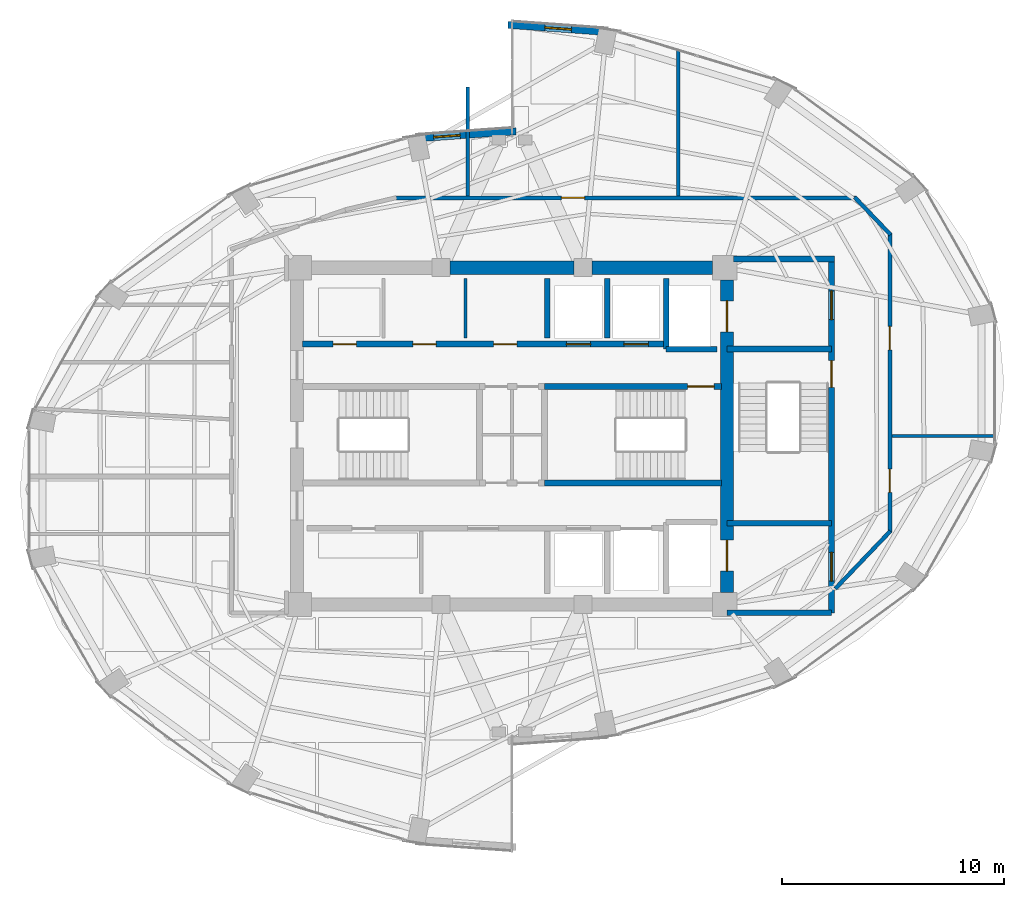
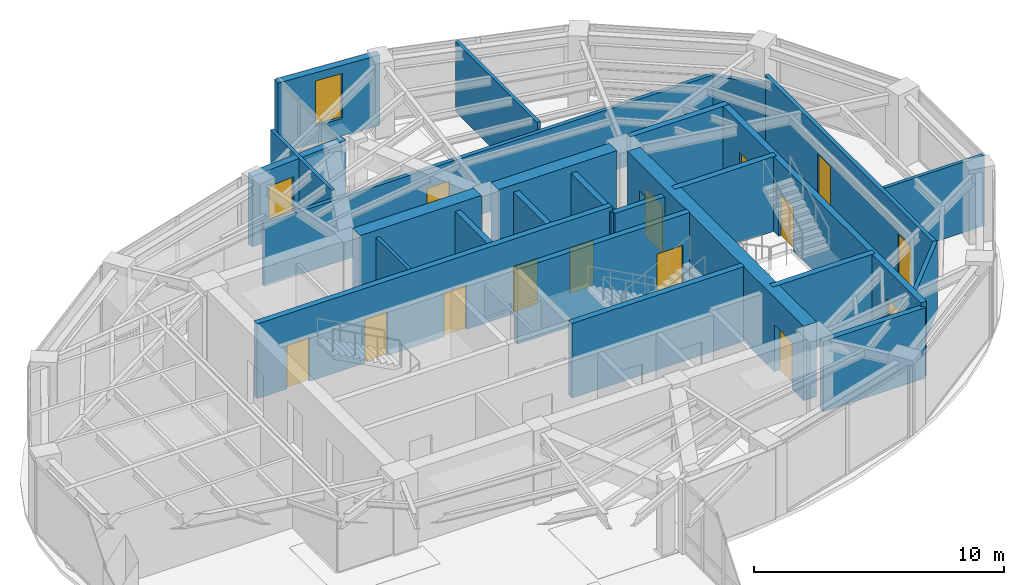
# One storey, part 20 of 23: 25 walls, 14 doors, 2 windows, 16 openings.
"""IFC4 building model written with IfcOpenShell, lengths in metres."""

from ifc_helpers import new_model, si_unit, direction, frame, frame_2d, origin, place, context, subcontext, project, spatial, rectangle, extrude, material, layer, layer_set, type_object, element, fill, save


model = new_model("IFC4")

# Units and contexts
model_context = context("Model", 3, precision=1e-05, world=origin(), true_north=direction((0.0, 1.0)))
body_context = subcontext(model_context, "Body", "Model", "MODEL_VIEW")
ifc_project = project(units=[si_unit("LENGTHUNIT", "METRE"), si_unit("AREAUNIT", "SQUARE_METRE"), si_unit("VOLUMEUNIT", "CUBIC_METRE"), si_unit("PLANEANGLEUNIT", "RADIAN"), si_unit("MASSUNIT", "GRAM", prefix="KILO")], contexts=[model_context])

# Site, building, storey
site_placement = place(None, origin())
site = spatial("IfcSite", under=ifc_project, at=site_placement, CompositionType="ELEMENT")
building_placement = place(site_placement, origin())
building = spatial("IfcBuilding", under=site, at=building_placement, Name="Lazwardi Medical Tower", CompositionType="ELEMENT")
storey_placement = place(building_placement, frame((0.0, 0.0, 209.424072265625)))
storey = spatial("IfcBuildingStorey", under=building, at=storey_placement, Name="L54", CompositionType="ELEMENT", Elevation=209.424072265625)

# Wall, opening, door
ifc_material_1 = material(Name="Fire-rated gypsum board on steel stud", Category="steel")
ifc_layer_1 = layer(ifc_material_1, 0.179931640625)
ifc_layer_set_1 = layer_set([ifc_layer_1], Name="Fire-rated gypsum board on steel stud")
wall_type_1 = type_object("IfcWallType", Name="WL-COR-180", PredefinedType="PARTITIONING", material=ifc_layer_set_1)
wall_1_placement = place(storey_placement, frame((30.709716796875, 38.75, 0.0), z_axis=(0.0, 0.0, 1.0), x_axis=(1.0, 0.0, 0.0)))
wall_1 = element("IfcWall", 1, at=wall_1_placement, inside=storey, type_object=wall_type_1, Name="L54 Corridor partition 3", PredefinedType="PARTITIONING", context=body_context, shape_type="SweptSolid", body=[
    extrude(rectangle(XDim=20.8154296875, YDim=0.179931640625, at=frame_2d((10.40771484375, 0.0))), origin(), (0.0, 0.0, 1.0), 3.072998046875),
])
opening_1_placement = place(wall_1_placement, frame((7.51513671875, 0.0, 0.0)))
opening_1 = element("IfcOpeningElement", 2, at=opening_1_placement, cuts=wall_1, Name="Opening D-L54-018", PredefinedType="OPENING", context=body_context, shape_type="SweptSolid", body=[
    extrude(rectangle(XDim=1.050048828125, YDim=2.14990234375, at=frame_2d((0.52490234375, 1.074951171875))), frame((0.0, 0.099853515625, 0.0), z_axis=(0.0, -1.0, 0.0), x_axis=(1.0, 0.0, 0.0)), (0.0, 0.0, 1.0), 0.199951171875),
])
ifc_material_2 = material(Name="Anti-microbial laminate hospital leaf")
door_type_1 = type_object("IfcDoorType", Name="DR-CLN-1050", OperationType="NOTDEFINED", PredefinedType="DOOR", material=ifc_material_2)
door_1_placement = place(opening_1_placement, origin())
door_1 = element("IfcDoor", 3, at=door_1_placement, inside=storey, type_object=door_type_1, Name="L54 Outpatient Consultation Suite Door 05", OperationType="SINGLE_SWING_RIGHT", OverallHeight=2.14990234375, OverallWidth=1.050048828125, PredefinedType="DOOR", context=body_context, shape_type="SweptSolid", body=[
    extrude(rectangle(XDim=1.050048828125, YDim=2.14990234375, at=frame_2d((0.52490234375, 1.074951171875))), frame((0.0, 0.02490234375, 0.0), z_axis=(0.0, -1.0, 0.0), x_axis=(1.0, 0.0, 0.0)), (0.0, 0.0, 1.0), 0.050048828125),
])
fill(opening_1, door_1)

# Wall
wall_2_placement = place(storey_placement, frame((51.45751953125, 38.77880859375, 0.0), z_axis=(0.0, 0.0, 1.0), x_axis=(0.691359830363, -0.722510612352, 0.0)))
element("IfcWall", 4, at=wall_2_placement, inside=storey, type_object=wall_type_1, Name="L54 Corridor partition 4", PredefinedType="PARTITIONING", context=body_context, shape_type="SweptSolid", body=[
    extrude(rectangle(XDim=2.34326171875, YDim=0.179931640625, at=frame_2d((1.171630859375, 0.0))), origin(), (0.0, 0.0, 1.0), 3.032958984375),
])

# Wall, openings, doors
wall_3_placement = place(storey_placement, frame((53.050048828125, 37.154541015625, 0.0), z_axis=(0.0, 0.0, 1.0), x_axis=(0.0, -1.0, 0.0)))
wall_3 = element("IfcWall", 5, at=wall_3_placement, inside=storey, type_object=wall_type_1, Name="L54 Corridor partition 5", PredefinedType="PARTITIONING", context=body_context, shape_type="SweptSolid", body=[
    extrude(rectangle(XDim=13.509033203125, YDim=0.179931640625, at=frame_2d((6.75439453125, 0.0))), origin(), (0.0, 0.0, 1.0), 3.447998046875),
])
opening_2_placement = place(wall_3_placement, frame((10.647705078125, 0.0, 0.0)))
opening_2 = element("IfcOpeningElement", 6, at=opening_2_placement, cuts=wall_3, Name="Opening D-L54-016", PredefinedType="OPENING", context=body_context, shape_type="SweptSolid", body=[
    extrude(rectangle(XDim=1.050048828125, YDim=2.14990234375, at=frame_2d((0.52490234375, 1.074951171875))), frame((0.0, 0.099853515625, 0.0), z_axis=(0.0, -1.0, 0.0), x_axis=(1.0, 0.0, 0.0)), (0.0, 0.0, 1.0), 0.199951171875),
])
opening_3_placement = place(wall_3_placement, frame((4.211181640625, 0.0, 0.0)))
opening_3 = element("IfcOpeningElement", 7, at=opening_3_placement, cuts=wall_3, Name="Opening D-L54-017", PredefinedType="OPENING", context=body_context, shape_type="SweptSolid", body=[
    extrude(rectangle(XDim=1.050048828125, YDim=2.14990234375, at=frame_2d((0.52490234375, 1.074951171875))), frame((0.0, 0.099853515625, 0.0), z_axis=(0.0, -1.0, 0.0), x_axis=(1.0, 0.0, 0.0)), (0.0, 0.0, 1.0), 0.199951171875),
])
door_2_placement = place(opening_2_placement, origin())
door_2 = element("IfcDoor", 8, at=door_2_placement, inside=storey, type_object=door_type_1, Name="L54 Medical Duty Staff Room Door 03", OperationType="SINGLE_SWING_RIGHT", OverallHeight=2.14990234375, OverallWidth=1.050048828125, PredefinedType="DOOR", context=body_context, shape_type="SweptSolid", body=[
    extrude(rectangle(XDim=1.050048828125, YDim=2.14990234375, at=frame_2d((0.52490234375, 1.074951171875))), frame((0.0, 0.02490234375, 0.0), z_axis=(0.0, -1.0, 0.0), x_axis=(1.0, 0.0, 0.0)), (0.0, 0.0, 1.0), 0.050048828125),
])
fill(opening_2, door_2)
door_3_placement = place(opening_3_placement, origin())
door_3 = element("IfcDoor", 9, at=door_3_placement, inside=storey, type_object=door_type_1, Name="L54 Clinical Specialist Office Door 04", OperationType="SINGLE_SWING_LEFT", OverallHeight=2.14990234375, OverallWidth=1.050048828125, PredefinedType="DOOR", context=body_context, shape_type="SweptSolid", body=[
    extrude(rectangle(XDim=1.050048828125, YDim=2.14990234375, at=frame_2d((0.52490234375, 1.074951171875))), frame((0.0, 0.02490234375, 0.0), z_axis=(0.0, -1.0, 0.0), x_axis=(1.0, 0.0, 0.0)), (0.0, 0.0, 1.0), 0.050048828125),
])
fill(opening_3, door_3)

# Wall
wall_4_placement = place(storey_placement, frame((53.07763671875, 23.71435546875, 0.0), z_axis=(0.0, 0.0, 1.0), x_axis=(-0.691353379446, -0.722516785085, 0.0)))
element("IfcWall", 10, at=wall_4_placement, inside=storey, type_object=wall_type_1, Name="L54 Corridor partition 6", PredefinedType="PARTITIONING", context=body_context, shape_type="SweptSolid", body=[
    extrude(rectangle(XDim=3.603759765625, YDim=0.179931640625, at=frame_2d((1.8017578125, 0.0))), origin(), (0.0, 0.0, 1.0), 3.447998046875),
])

# Wall, openings, doors
ifc_material_3 = material(Name="Concrete C60/75", Category="concrete")
ifc_layer_2 = layer(ifc_material_3, 0.60009765625)
ifc_layer_set_2 = layer_set([ifc_layer_2], Name="Concrete C60/75")
wall_type_2 = type_object("IfcWallType", Name="WL-CORE-600", PredefinedType="SHEAR", material=ifc_layer_set_2)
wall_5_placement = place(storey_placement, frame((45.699951171875, 20.949951171875, 0.0), z_axis=(0.0, 0.0, 1.0), x_axis=(0.0, 1.0, 0.0)))
wall_5 = element("IfcWall", 11, at=wall_5_placement, inside=storey, type_object=wall_type_2, Name="Core wall CW-S3 east L54", PredefinedType="SHEAR", context=body_context, shape_type="SweptSolid", body=[
    extrude(rectangle(XDim=14.10009765625, YDim=0.60009765625, at=frame_2d((7.050048828125, 0.0))), origin(), (0.0, 0.0, 1.0), 3.64794921875),
])
opening_4_placement = place(wall_5_placement, frame((11.75, 0.0, 0.0)))
opening_4 = element("IfcOpeningElement", 12, at=opening_4_placement, cuts=wall_5, Name="Opening LD-L54-001", PredefinedType="OPENING", context=body_context, shape_type="SweptSolid", body=[
    extrude(rectangle(XDim=1.39990234375, YDim=2.300048828125, at=frame_2d((0.699951171875, 1.14990234375))), frame((0.0, 0.31005859375, 0.0), z_axis=(0.0, -1.0, 0.0), x_axis=(1.0, 0.0, 0.0)), (0.0, 0.0, 1.0), 0.6201171875),
])
opening_5_placement = place(wall_5_placement, frame((0.949951171875, 0.0, 0.0)))
opening_5 = element("IfcOpeningElement", 13, at=opening_5_placement, cuts=wall_5, Name="Opening LD-L54-002", PredefinedType="OPENING", context=body_context, shape_type="SweptSolid", body=[
    extrude(rectangle(XDim=1.39990234375, YDim=2.300048828125, at=frame_2d((0.699951171875, 1.14990234375))), frame((0.0, 0.31005859375, 0.0), z_axis=(0.0, -1.0, 0.0), x_axis=(1.0, 0.0, 0.0)), (0.0, 0.0, 1.0), 0.6201171875),
])
ifc_material_4 = material(Name="Brushed stainless steel bed-lift landing door", Category="steel")
door_type_2 = type_object("IfcDoorType", Name="DR-LFT-1400", OperationType="NOTDEFINED", PredefinedType="DOOR", material=ifc_material_4)
door_4_placement = place(opening_4_placement, origin())
door_4 = element("IfcDoor", 14, at=door_4_placement, inside=storey, type_object=door_type_2, Name="L54 Lift Landing Door FL-01", OperationType="SLIDING_TO_LEFT", OverallHeight=2.300048828125, OverallWidth=1.39990234375, PredefinedType="DOOR", context=body_context, shape_type="SweptSolid", body=[
    extrude(rectangle(XDim=1.39990234375, YDim=2.300048828125, at=frame_2d((0.699951171875, 1.14990234375))), frame((0.0, 0.02490234375, 0.0), z_axis=(0.0, -1.0, 0.0), x_axis=(1.0, 0.0, 0.0)), (0.0, 0.0, 1.0), 0.050048828125),
])
fill(opening_4, door_4)
door_5_placement = place(opening_5_placement, origin())
door_5 = element("IfcDoor", 15, at=door_5_placement, inside=storey, type_object=door_type_2, Name="L54 Lift Landing Door FL-02", OperationType="SLIDING_TO_LEFT", OverallHeight=2.300048828125, OverallWidth=1.39990234375, PredefinedType="DOOR", context=body_context, shape_type="SweptSolid", body=[
    extrude(rectangle(XDim=1.39990234375, YDim=2.300048828125, at=frame_2d((0.699951171875, 1.14990234375))), frame((0.0, 0.02490234375, 0.0), z_axis=(0.0, -1.0, 0.0), x_axis=(1.0, 0.0, 0.0)), (0.0, 0.0, 1.0), 0.050048828125),
])
fill(opening_5, door_5)

# Walls
wall_6_placement = place(storey_placement, frame((33.199951171875, 35.60009765625, 0.0), z_axis=(0.0, 0.0, 1.0), x_axis=(1.0, 0.0, 0.0)))
element("IfcWall", 16, at=wall_6_placement, inside=storey, type_object=wall_type_2, Name="Core wall CW-S3 N2 L54", PredefinedType="SHEAR", context=body_context, shape_type="SweptSolid", body=[
    extrude(rectangle(XDim=5.60009765625, YDim=0.60009765625, at=frame_2d((2.800048828125, 0.0))), origin(), (0.0, 0.0, 1.0), 3.64794921875),
])
wall_7_placement = place(storey_placement, frame((39.60009765625, 35.60009765625, 0.0), z_axis=(0.0, 0.0, 1.0), x_axis=(1.0, 0.0, 0.0)))
element("IfcWall", 17, at=wall_7_placement, inside=storey, type_object=wall_type_2, Name="Core wall CW-S3 N3 L54", PredefinedType="SHEAR", context=body_context, shape_type="SweptSolid", body=[
    extrude(rectangle(XDim=5.449951171875, YDim=0.60009765625, at=frame_2d((2.72509765625, 0.0))), origin(), (0.0, 0.0, 1.0), 3.64794921875),
])

# Wall, opening, window
ifc_material_5 = material(Name="Precast concrete C45/55", Category="concrete")
ifc_layer_3 = layer(ifc_material_5, 0.320068359375)
ifc_layer_set_3 = layer_set([ifc_layer_3], Name="Precast concrete C45/55")
wall_type_3 = type_object("IfcWallType", Name="WL-IWAN-320", PredefinedType="SOLIDWALL", material=ifc_layer_set_3)
wall_8_placement = place(storey_placement, frame((40.349609375, 46.226318359375, 0.0), z_axis=(0.0, 0.0, 1.0), x_axis=(-0.997409061056, 0.071938619141, 0.0)))
wall_8 = element("IfcWall", 18, at=wall_8_placement, inside=storey, type_object=wall_type_3, Name="L54 Iwan Portal Return Wall NE_ret", PredefinedType="SOLIDWALL", context=body_context, shape_type="SweptSolid", body=[
    extrude(rectangle(XDim=4.540771484375, YDim=0.320068359375, at=frame_2d((2.2705078125, 0.0))), origin(), (0.0, 0.0, 1.0), 3.447998046875),
])
opening_6_placement = place(wall_8_placement, frame((1.67041015625, 0.0, 0.85009765625)))
opening_6 = element("IfcOpeningElement", 19, at=opening_6_placement, cuts=wall_8, Name="Opening WN-01", PredefinedType="OPENING", context=body_context, shape_type="SweptSolid", body=[
    extrude(rectangle(XDim=1.199951171875, YDim=2.199951171875, at=frame_2d((0.60009765625, 1.10009765625))), frame((0.0, 0.169921875, 0.0), z_axis=(0.0, -1.0, 0.0), x_axis=(1.0, 0.0, 0.0)), (0.0, 0.0, 1.0), 0.340087890625),
])
ifc_material_6 = material(Name="Low-e bronze solar control double glazing", Category="glass")
window_type_1 = type_object("IfcWindowType", Name="WIN-IW-1200", PartitioningType="SINGLE_PANEL", PredefinedType="WINDOW", material=ifc_material_6)
window_1_placement = place(opening_6_placement, origin())
window_1 = element("IfcWindow", 20, at=window_1_placement, inside=storey, type_object=window_type_1, Name="L54 Iwan Slot Window NE_ret", OverallHeight=2.199951171875, OverallWidth=1.199951171875, PartitioningType="SINGLE_PANEL", PredefinedType="WINDOW", context=body_context, shape_type="SweptSolid", body=[
    extrude(rectangle(XDim=1.199951171875, YDim=2.199951171875, at=frame_2d((0.60009765625, 1.10009765625))), frame((0.0, 0.030029296875, 0.0), z_axis=(0.0, -1.0, 0.0), x_axis=(1.0, 0.0, 0.0)), (0.0, 0.0, 1.0), 0.06005859375),
])
fill(opening_6, window_1)

wall_9_placement = place(storey_placement, frame((36.17919921875, 41.7529296875, 0.0), z_axis=(0.0, 0.0, 1.0), x_axis=(-0.997408782787, -0.071942477163, 0.0)))
wall_9 = element("IfcWall", 21, at=wall_9_placement, inside=storey, type_object=wall_type_3, Name="L54 Iwan Portal Return Wall NW_ret", PredefinedType="SOLIDWALL", context=body_context, shape_type="SweptSolid", body=[
    extrude(rectangle(XDim=4.54052734375, YDim=0.320068359375, at=frame_2d((2.270263671875, 0.0))), origin(), (0.0, 0.0, 1.0), 3.447998046875),
])
opening_7_placement = place(wall_9_placement, frame((2.52587890625, 0.0, 0.85009765625)))
opening_7 = element("IfcOpeningElement", 22, at=opening_7_placement, cuts=wall_9, Name="Opening WN-04", PredefinedType="OPENING", context=body_context, shape_type="SweptSolid", body=[
    extrude(rectangle(XDim=1.199951171875, YDim=1.800048828125, at=frame_2d((0.60009765625, 0.89990234375))), frame((0.0, 0.169921875, 0.0), z_axis=(0.0, -1.0, 0.0), x_axis=(1.0, 0.0, 0.0)), (0.0, 0.0, 1.0), 0.340087890625),
])
window_type_2 = type_object("IfcWindowType", Name="WIN-DRUM-1200", PartitioningType="SINGLE_PANEL", PredefinedType="WINDOW", material=ifc_material_6)
window_2_placement = place(opening_7_placement, origin())
window_2 = element("IfcWindow", 23, at=window_2_placement, inside=storey, type_object=window_type_2, Name="L54 Iwan Slot Window NW_ret", OverallHeight=1.800048828125, OverallWidth=1.199951171875, PartitioningType="SINGLE_PANEL", PredefinedType="WINDOW", context=body_context, shape_type="SweptSolid", body=[
    extrude(rectangle(XDim=1.199951171875, YDim=1.800048828125, at=frame_2d((0.60009765625, 0.89990234375))), frame((0.0, 0.030029296875, 0.0), z_axis=(0.0, -1.0, 0.0), x_axis=(1.0, 0.0, 0.0)), (0.0, 0.0, 1.0), 0.06005859375),
])
fill(opening_7, window_2)

# Walls
ifc_material_7 = material(Name="Autoclaved aerated concrete blockwork", Category="masonry")
ifc_layer_4 = layer(ifc_material_7, 0.25)
ifc_layer_set_4 = layer_set([ifc_layer_4], Name="Autoclaved aerated concrete blockwork")
wall_type_4 = type_object("IfcWallType", Name="WL-SHAFT-250", PredefinedType="SOLIDWALL", material=ifc_layer_set_4)
wall_10_placement = place(storey_placement, frame((42.949951171875, 31.919921875, 0.0), z_axis=(0.0, 0.0, 1.0), x_axis=(0.0, 1.0, 0.0)))
element("IfcWall", 24, at=wall_10_placement, inside=storey, type_object=wall_type_4, Name="L54 FL-01 West shaft wall", PredefinedType="SOLIDWALL", context=body_context, shape_type="SweptSolid", body=[
    extrude(rectangle(XDim=3.18017578125, YDim=0.25, at=frame_2d((1.590087890625, 0.0))), origin(), (0.0, 0.0, 1.0), 3.447998046875),
])
wall_11_placement = place(storey_placement, frame((42.949951171875, 31.919921875, 0.0), z_axis=(0.0, 0.0, 1.0), x_axis=(1.0, 0.0, 0.0)))
element("IfcWall", 25, at=wall_11_placement, inside=storey, type_object=wall_type_4, Name="L54 FL-01 South shaft wall", PredefinedType="SOLIDWALL", context=body_context, shape_type="SweptSolid", body=[
    extrude(rectangle(XDim=2.300048828125, YDim=0.25, at=frame_2d((1.14990234375, 0.0))), origin(), (0.0, 0.0, 1.0), 3.447998046875),
])
for number, where, z_axis, x_axis, name in (
    (26, (37.60009765625, 32.419921875, 0.0), (0.0, 0.0, 1.0), (0.0, 1.0, 0.0), "L54 North hoistway divider"),
    (27, (40.300048828125, 32.419921875, 0.0), (0.0, 0.0, 1.0), (0.0, 1.0, 0.0), "L54 North hoistway divider"),
):
    element("IfcWall", number, at=place(storey_placement, frame(where, z_axis=z_axis, x_axis=x_axis)), inside=storey, type_object=wall_type_4, Name=name, PredefinedType="SOLIDWALL", context=body_context, shape_type="SweptSolid", body=[
        extrude(rectangle(XDim=2.68017578125, YDim=0.25, at=frame_2d((1.340087890625, 0.0))), origin(), (0.0, 0.0, 1.0), 3.447998046875),
    ])
wall_12_placement = place(storey_placement, frame((45.699951171875, 20.02001953125, 0.0), z_axis=(0.0, 0.0, 1.0), x_axis=(1.0, 0.0, 0.0)))
element("IfcWall", 28, at=wall_12_placement, inside=storey, type_object=wall_type_4, Name="L54 FFL-S South wall", PredefinedType="SOLIDWALL", context=body_context, shape_type="SweptSolid", body=[
    extrude(rectangle(XDim=4.715087890625, YDim=0.25, at=frame_2d((2.357421875, 0.0))), origin(), (0.0, 0.0, 1.0), 3.447998046875),
])

# Wall, opening, door
ifc_material_8 = material(Name="Concrete C50/60", Category="concrete")
ifc_layer_5 = layer(ifc_material_8, 0.27001953125)
ifc_layer_set_5 = layer_set([ifc_layer_5], Name="Concrete C50/60")
wall_type_5 = type_object("IfcWallType", Name="WL-STR-250", PredefinedType="SHEAR", material=ifc_layer_set_5)
wall_13_placement = place(storey_placement, frame((37.465087890625, 30.235107421875, 0.0), z_axis=(0.0, 0.0, 1.0), x_axis=(1.0, 0.0, 0.0)))
wall_13 = element("IfcWall", 29, at=wall_13_placement, inside=storey, type_object=wall_type_5, Name="L54 ST2 North shear shaft wall SW-S1", PredefinedType="SHEAR", context=body_context, shape_type="SweptSolid", body=[
    extrude(rectangle(XDim=7.98486328125, YDim=0.27001953125, at=frame_2d((3.992431640625, 0.0))), origin(), (0.0, 0.0, 1.0), 3.64794921875),
])
opening_8_placement = place(wall_13_placement, frame((6.455078125, 0.0, 0.0)))
opening_8 = element("IfcOpeningElement", 30, at=opening_8_placement, cuts=wall_13, Name="Opening D-L54-023", PredefinedType="OPENING", context=body_context, shape_type="SweptSolid", body=[
    extrude(rectangle(XDim=1.199951171875, YDim=2.14990234375, at=frame_2d((0.60009765625, 1.074951171875))), frame((0.0, 0.14501953125, 0.0), z_axis=(0.0, -1.0, 0.0), x_axis=(1.0, 0.0, 0.0)), (0.0, 0.0, 1.0), 0.2900390625),
])
ifc_material_9 = material(Name="Fire-rated steel leaf and frame", Category="steel")
door_type_3 = type_object("IfcDoorType", Name="DR-STR-1200", OperationType="NOTDEFINED", PredefinedType="DOOR", material=ifc_material_9)
door_6_placement = place(opening_8_placement, origin())
door_6 = element("IfcDoor", 31, at=door_6_placement, inside=storey, type_object=door_type_3, Name="L54 Exit Stair ST2 Door", OperationType="SINGLE_SWING_LEFT", OverallHeight=2.14990234375, OverallWidth=1.199951171875, PredefinedType="DOOR", context=body_context, shape_type="SweptSolid", body=[
    extrude(rectangle(XDim=1.199951171875, YDim=2.14990234375, at=frame_2d((0.60009765625, 1.074951171875))), frame((0.0, 0.02490234375, 0.0), z_axis=(0.0, -1.0, 0.0), x_axis=(1.0, 0.0, 0.0)), (0.0, 0.0, 1.0), 0.050048828125),
])
fill(opening_8, door_6)

# Wall
wall_14_placement = place(storey_placement, frame((37.465087890625, 25.885009765625, 0.0), z_axis=(0.0, 0.0, 1.0), x_axis=(1.0, 0.0, 0.0)))
element("IfcWall", 32, at=wall_14_placement, inside=storey, type_object=wall_type_5, Name="L54 ST2 South shear shaft wall SW-S1", PredefinedType="SHEAR", context=body_context, shape_type="SweptSolid", body=[
    extrude(rectangle(XDim=7.98486328125, YDim=0.27001953125, at=frame_2d((3.992431640625, 0.0))), origin(), (0.0, 0.0, 1.0), 3.64794921875),
])

# Wall, openings, doors
wall_15_placement = place(storey_placement, frame((26.550048828125, 32.14990234375, 0.0), z_axis=(0.0, 0.0, 1.0), x_axis=(1.0, 0.0, 0.0)))
wall_15 = element("IfcWall", 33, at=wall_15_placement, inside=storey, type_object=wall_type_5, Name="L54 North lift bank shear wall SW-S1", PredefinedType="SHEAR", context=body_context, shape_type="SweptSolid", body=[
    extrude(rectangle(XDim=16.39990234375, YDim=0.27001953125, at=frame_2d((8.199951171875, 0.0))), origin(), (0.0, 0.0, 1.0), 3.64794921875),
])
opening_9_placement = place(wall_15_placement, frame((1.375, 0.0, 0.0)))
opening_9 = element("IfcOpeningElement", 34, at=opening_9_placement, cuts=wall_15, Name="Opening D-L54-005", PredefinedType="OPENING", context=body_context, shape_type="SweptSolid", body=[
    extrude(rectangle(XDim=1.050048828125, YDim=2.14990234375, at=frame_2d((0.52490234375, 1.074951171875))), frame((0.0, 0.14501953125, 0.0), z_axis=(0.0, -1.0, 0.0), x_axis=(1.0, 0.0, 0.0)), (0.0, 0.0, 1.0), 0.2900390625),
])
opening_10_placement = place(wall_15_placement, frame((4.97509765625, 0.0, 0.0)))
opening_10 = element("IfcOpeningElement", 35, at=opening_10_placement, cuts=wall_15, Name="Opening D-L54-006", PredefinedType="OPENING", context=body_context, shape_type="SweptSolid", body=[
    extrude(rectangle(XDim=1.050048828125, YDim=2.14990234375, at=frame_2d((0.52490234375, 1.074951171875))), frame((0.0, 0.14501953125, 0.0), z_axis=(0.0, -1.0, 0.0), x_axis=(1.0, 0.0, 0.0)), (0.0, 0.0, 1.0), 0.2900390625),
])
opening_11_placement = place(wall_15_placement, frame((8.625, 0.0, 0.0)))
opening_11 = element("IfcOpeningElement", 36, at=opening_11_placement, cuts=wall_15, Name="Opening D-L54-007", PredefinedType="OPENING", context=body_context, shape_type="SweptSolid", body=[
    extrude(rectangle(XDim=1.050048828125, YDim=2.14990234375, at=frame_2d((0.52490234375, 1.074951171875))), frame((0.0, 0.14501953125, 0.0), z_axis=(0.0, -1.0, 0.0), x_axis=(1.0, 0.0, 0.0)), (0.0, 0.0, 1.0), 0.2900390625),
])
opening_12_placement = place(wall_15_placement, frame((11.89990234375, 0.0, 0.0)))
opening_12 = element("IfcOpeningElement", 37, at=opening_12_placement, cuts=wall_15, Name="Opening LD-L54-004", PredefinedType="OPENING", context=body_context, shape_type="SweptSolid", body=[
    extrude(rectangle(XDim=1.10009765625, YDim=2.199951171875, at=frame_2d((0.550048828125, 1.10009765625))), frame((0.0, 0.14501953125, 0.0), z_axis=(0.0, -1.0, 0.0), x_axis=(1.0, 0.0, 0.0)), (0.0, 0.0, 1.0), 0.2900390625),
])
opening_13_placement = place(wall_15_placement, frame((14.5, 0.0, 0.0)))
opening_13 = element("IfcOpeningElement", 38, at=opening_13_placement, cuts=wall_15, Name="Opening LD-L54-005", PredefinedType="OPENING", context=body_context, shape_type="SweptSolid", body=[
    extrude(rectangle(XDim=1.10009765625, YDim=2.199951171875, at=frame_2d((0.550048828125, 1.10009765625))), frame((0.0, 0.14501953125, 0.0), z_axis=(0.0, -1.0, 0.0), x_axis=(1.0, 0.0, 0.0)), (0.0, 0.0, 1.0), 0.2900390625),
])
door_7_placement = place(opening_9_placement, origin())
door_7 = element("IfcDoor", 39, at=door_7_placement, inside=storey, type_object=door_type_1, Name="L54 Pantry Door", OperationType="SINGLE_SWING_RIGHT", OverallHeight=2.14990234375, OverallWidth=1.050048828125, PredefinedType="DOOR", context=body_context, shape_type="SweptSolid", body=[
    extrude(rectangle(XDim=1.050048828125, YDim=2.14990234375, at=frame_2d((0.52490234375, 1.074951171875))), frame((0.0, 0.02490234375, 0.0), z_axis=(0.0, -1.0, 0.0), x_axis=(1.0, 0.0, 0.0)), (0.0, 0.0, 1.0), 0.050048828125),
])
fill(opening_9, door_7)
door_8_placement = place(opening_10_placement, origin())
door_8 = element("IfcDoor", 40, at=door_8_placement, inside=storey, type_object=door_type_1, Name="L54 Pharmacy Door", OperationType="SINGLE_SWING_LEFT", OverallHeight=2.14990234375, OverallWidth=1.050048828125, PredefinedType="DOOR", context=body_context, shape_type="SweptSolid", body=[
    extrude(rectangle(XDim=1.050048828125, YDim=2.14990234375, at=frame_2d((0.52490234375, 1.074951171875))), frame((0.0, 0.02490234375, 0.0), z_axis=(0.0, -1.0, 0.0), x_axis=(1.0, 0.0, 0.0)), (0.0, 0.0, 1.0), 0.050048828125),
])
fill(opening_10, door_8)
door_9_placement = place(opening_11_placement, origin())
door_9 = element("IfcDoor", 41, at=door_9_placement, inside=storey, type_object=door_type_1, Name="L54 Consult Door", OperationType="SINGLE_SWING_RIGHT", OverallHeight=2.14990234375, OverallWidth=1.050048828125, PredefinedType="DOOR", context=body_context, shape_type="SweptSolid", body=[
    extrude(rectangle(XDim=1.050048828125, YDim=2.14990234375, at=frame_2d((0.52490234375, 1.074951171875))), frame((0.0, 0.02490234375, 0.0), z_axis=(0.0, -1.0, 0.0), x_axis=(1.0, 0.0, 0.0)), (0.0, 0.0, 1.0), 0.050048828125),
])
fill(opening_11, door_9)
ifc_material_10 = material(Name="Brushed bronze stainless steel landing door", Category="steel")
door_type_4 = type_object("IfcDoorType", Name="DR-LFT-1100", OperationType="NOTDEFINED", PredefinedType="DOOR", material=ifc_material_10)
door_10_placement = place(opening_12_placement, origin())
door_10 = element("IfcDoor", 42, at=door_10_placement, inside=storey, type_object=door_type_4, Name="L54 Lift Landing Door PL-09", OperationType="SLIDING_TO_LEFT", OverallHeight=2.199951171875, OverallWidth=1.10009765625, PredefinedType="DOOR", context=body_context, shape_type="SweptSolid", body=[
    extrude(rectangle(XDim=1.10009765625, YDim=2.199951171875, at=frame_2d((0.550048828125, 1.10009765625))), frame((0.0, 0.02490234375, 0.0), z_axis=(0.0, -1.0, 0.0), x_axis=(1.0, 0.0, 0.0)), (0.0, 0.0, 1.0), 0.050048828125),
])
fill(opening_12, door_10)
door_11_placement = place(opening_13_placement, origin())
door_11 = element("IfcDoor", 43, at=door_11_placement, inside=storey, type_object=door_type_4, Name="L54 Lift Landing Door PL-10", OperationType="SLIDING_TO_LEFT", OverallHeight=2.199951171875, OverallWidth=1.10009765625, PredefinedType="DOOR", context=body_context, shape_type="SweptSolid", body=[
    extrude(rectangle(XDim=1.10009765625, YDim=2.199951171875, at=frame_2d((0.550048828125, 1.10009765625))), frame((0.0, 0.02490234375, 0.0), z_axis=(0.0, -1.0, 0.0), x_axis=(1.0, 0.0, 0.0)), (0.0, 0.0, 1.0), 0.050048828125),
])
fill(opening_13, door_11)

wall_16_placement = place(storey_placement, frame((50.4150390625, 35.844970703125, 0.0), z_axis=(0.0, 0.0, 1.0), x_axis=(0.0, -1.0, 0.0)))
wall_16 = element("IfcWall", 44, at=wall_16_placement, inside=storey, type_object=wall_type_5, Name="L54 East ST3 & FFL shear wall SW-S1", PredefinedType="SHEAR", context=body_context, shape_type="SweptSolid", body=[
    extrude(rectangle(XDim=15.824951171875, YDim=0.27001953125, at=frame_2d((7.91259765625, 0.0))), origin(), (0.0, 0.0, 1.0), 3.64794921875),
])
opening_14_placement = place(wall_16_placement, frame((4.445068359375, 0.0, 0.0)))
opening_14 = element("IfcOpeningElement", 45, at=opening_14_placement, cuts=wall_16, Name="Opening D-L54-024", PredefinedType="OPENING", context=body_context, shape_type="SweptSolid", body=[
    extrude(rectangle(XDim=1.199951171875, YDim=2.14990234375, at=frame_2d((0.60009765625, 1.074951171875))), frame((0.0, 0.14501953125, 0.0), z_axis=(0.0, -1.0, 0.0), x_axis=(1.0, 0.0, 0.0)), (0.0, 0.0, 1.0), 0.2900390625),
])
opening_15_placement = place(wall_16_placement, frame((1.294921875, 0.0, 0.0)))
opening_15 = element("IfcOpeningElement", 46, at=opening_15_placement, cuts=wall_16, Name="Opening D-L54-010", PredefinedType="OPENING", context=body_context, shape_type="SweptSolid", body=[
    extrude(rectangle(XDim=1.300048828125, YDim=2.199951171875, at=frame_2d((0.64990234375, 1.10009765625))), frame((0.0, 0.14501953125, 0.0), z_axis=(0.0, -1.0, 0.0), x_axis=(1.0, 0.0, 0.0)), (0.0, 0.0, 1.0), 0.2900390625),
])
opening_16_placement = place(wall_16_placement, frame((13.094970703125, 0.0, 0.0)))
opening_16 = element("IfcOpeningElement", 47, at=opening_16_placement, cuts=wall_16, Name="Opening D-L54-011", PredefinedType="OPENING", context=body_context, shape_type="SweptSolid", body=[
    extrude(rectangle(XDim=1.300048828125, YDim=2.199951171875, at=frame_2d((0.64990234375, 1.10009765625))), frame((0.0, 0.14501953125, 0.0), z_axis=(0.0, -1.0, 0.0), x_axis=(1.0, 0.0, 0.0)), (0.0, 0.0, 1.0), 0.2900390625),
])
door_type_5 = type_object("IfcDoorType", Name="DR-FFL-1300", OperationType="NOTDEFINED", PredefinedType="DOOR", material=ifc_material_9)
door_12_placement = place(opening_15_placement, origin())
door_12 = element("IfcDoor", 48, at=door_12_placement, inside=storey, type_object=door_type_5, Name="L54 Fire-Fighting Lobby North Door", OperationType="SINGLE_SWING_RIGHT", OverallHeight=2.199951171875, OverallWidth=1.300048828125, PredefinedType="DOOR", context=body_context, shape_type="SweptSolid", body=[
    extrude(rectangle(XDim=1.300048828125, YDim=2.199951171875, at=frame_2d((0.64990234375, 1.10009765625))), frame((0.0, 0.02490234375, 0.0), z_axis=(0.0, -1.0, 0.0), x_axis=(1.0, 0.0, 0.0)), (0.0, 0.0, 1.0), 0.050048828125),
])
fill(opening_15, door_12)
door_13_placement = place(opening_16_placement, origin())
door_13 = element("IfcDoor", 49, at=door_13_placement, inside=storey, type_object=door_type_5, Name="L54 Fire-Fighting Lobby South Door", OperationType="SINGLE_SWING_LEFT", OverallHeight=2.199951171875, OverallWidth=1.300048828125, PredefinedType="DOOR", context=body_context, shape_type="SweptSolid", body=[
    extrude(rectangle(XDim=1.300048828125, YDim=2.199951171875, at=frame_2d((0.64990234375, 1.10009765625))), frame((0.0, 0.02490234375, 0.0), z_axis=(0.0, -1.0, 0.0), x_axis=(1.0, 0.0, 0.0)), (0.0, 0.0, 1.0), 0.050048828125),
])
fill(opening_16, door_13)
door_14_placement = place(opening_14_placement, origin())
door_14 = element("IfcDoor", 50, at=door_14_placement, inside=storey, type_object=door_type_3, Name="L54 Exit Stair ST3 Door", OperationType="SINGLE_SWING_LEFT", OverallHeight=2.14990234375, OverallWidth=1.199951171875, PredefinedType="DOOR", context=body_context, shape_type="SweptSolid", body=[
    extrude(rectangle(XDim=1.199951171875, YDim=2.14990234375, at=frame_2d((0.60009765625, 1.074951171875))), frame((0.0, 0.02490234375, 0.0), z_axis=(0.0, -1.0, 0.0), x_axis=(1.0, 0.0, 0.0)), (0.0, 0.0, 1.0), 0.050048828125),
])
fill(opening_14, door_14)

# Walls
wall_17_placement = place(storey_placement, frame((46.0, 35.97998046875, 0.0), z_axis=(0.0, 0.0, 1.0), x_axis=(1.0, 0.0, 0.0)))
element("IfcWall", 51, at=wall_17_placement, inside=storey, type_object=wall_type_5, Name="L54 FFL-N North shear wall SW-S1", PredefinedType="SHEAR", context=body_context, shape_type="SweptSolid", body=[
    extrude(rectangle(XDim=4.550048828125, YDim=0.27001953125, at=frame_2d((2.27490234375, 0.0))), origin(), (0.0, 0.0, 1.0), 3.64794921875),
])
for number, where, z_axis, x_axis, name in (
    (52, (45.699951171875, 31.93505859375, 0.0), (0.0, 0.0, 1.0), (1.0, 0.0, 0.0), "L54 ST3 North shear shaft wall SW-S1"),
    (53, (45.699951171875, 24.06494140625, 0.0), (0.0, 0.0, 1.0), (1.0, 0.0, 0.0), "L54 ST3 South shear shaft wall SW-S1"),
):
    element("IfcWall", number, at=place(storey_placement, frame(where, z_axis=z_axis, x_axis=x_axis)), inside=storey, type_object=wall_type_5, Name=name, PredefinedType="SHEAR", context=body_context, shape_type="SweptSolid", body=[
        extrude(rectangle(XDim=4.715087890625, YDim=0.27001953125, at=frame_2d((2.357421875, 0.0))), origin(), (0.0, 0.0, 1.0), 3.64794921875),
    ])
ifc_material_11 = material(Name="Acoustic gypsum board partition")
ifc_layer_6 = layer(ifc_material_11, 0.14990234375)
ifc_layer_set_6 = layer_set([ifc_layer_6], Name="Acoustic gypsum board partition")
wall_type_6 = type_object("IfcWallType", Name="WL-WRD-150", PredefinedType="PARTITIONING", material=ifc_layer_set_6)
wall_18_placement = place(storey_placement, frame((33.89990234375, 32.419921875, 0.0), z_axis=(0.0, 0.0, 1.0), x_axis=(0.0, 1.0, 0.0)))
element("IfcWall", 54, at=wall_18_placement, inside=storey, type_object=wall_type_6, Name="L54 Freed bay2 N split B", PredefinedType="PARTITIONING", context=body_context, shape_type="SweptSolid", body=[
    extrude(rectangle(XDim=2.68017578125, YDim=0.14990234375, at=frame_2d((1.340087890625, 0.0))), origin(), (0.0, 0.0, 1.0), 3.447998046875),
])
wall_19_placement = place(storey_placement, frame((53.139892578125, 28.0, 0.0), z_axis=(0.0, 0.0, 1.0), x_axis=(1.0, 0.0, 0.0)))
element("IfcWall", 55, at=wall_19_placement, inside=storey, type_object=wall_type_6, Name="L54 Room partition 6", PredefinedType="PARTITIONING", context=body_context, shape_type="SweptSolid", body=[
    extrude(rectangle(XDim=4.6318359375, YDim=0.14990234375, at=frame_2d((2.31591796875, 0.0))), origin(), (0.0, 0.0, 1.0), 3.447998046875),
])
wall_20_placement = place(storey_placement, frame((34.0, 38.840087890625, 0.0), z_axis=(0.0, 0.0, 1.0), x_axis=(0.0, 1.0, 0.0)))
element("IfcWall", 56, at=wall_20_placement, inside=storey, type_object=wall_type_6, Name="L54 Room partition 7", PredefinedType="PARTITIONING", context=body_context, shape_type="SweptSolid", body=[
    extrude(rectangle(XDim=4.904052734375, YDim=0.14990234375, at=frame_2d((2.4521484375, 0.0))), origin(), (0.0, 0.0, 1.0), 3.447998046875),
])
wall_21_placement = place(storey_placement, frame((43.5, 38.840087890625, 0.0), z_axis=(0.0, 0.0, 1.0), x_axis=(0.0, 1.0, 0.0)))
element("IfcWall", 57, at=wall_21_placement, inside=storey, type_object=wall_type_6, Name="L54 Room partition 8", PredefinedType="PARTITIONING", context=body_context, shape_type="SweptSolid", body=[
    extrude(rectangle(XDim=6.55224609375, YDim=0.14990234375, at=frame_2d((3.276123046875, 0.0))), origin(), (0.0, 0.0, 1.0), 3.447998046875),
])

save(model, "model.ifc")
